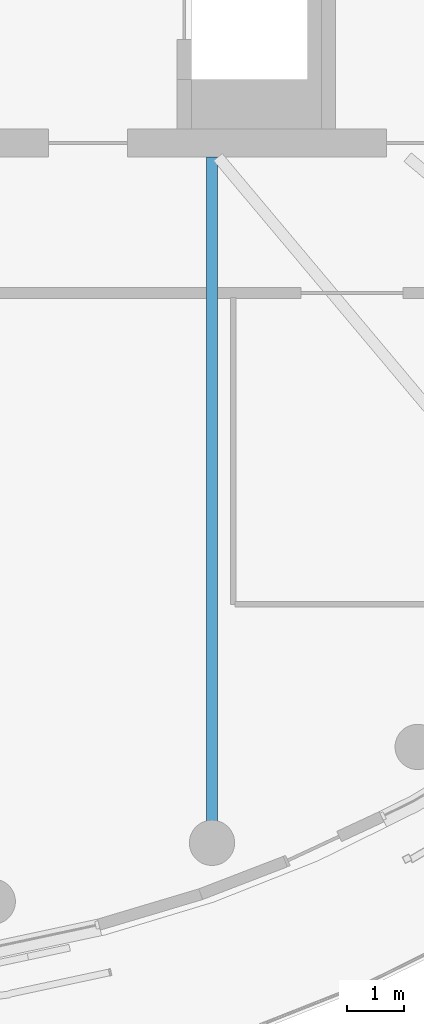
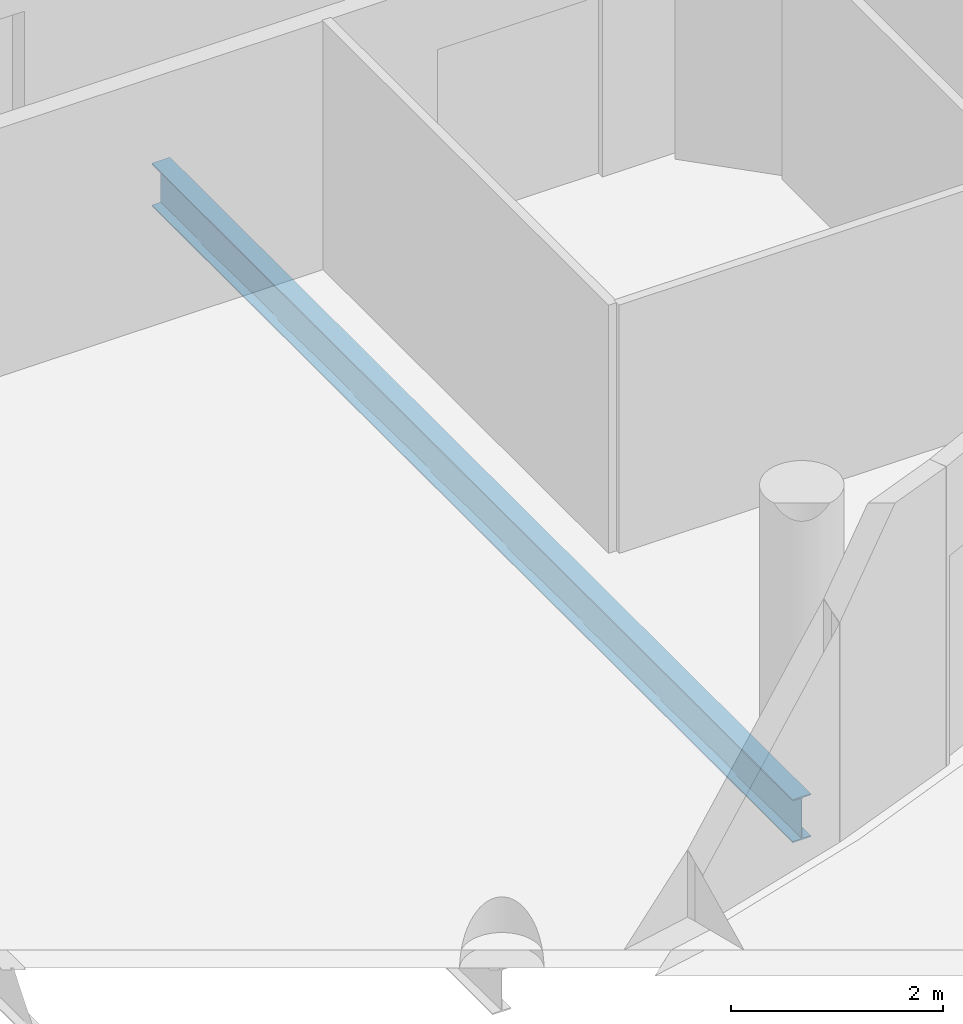
# One storey, part 3 of 21: 1 beam.
"""IFC4 building model written with IfcOpenShell, lengths in metres."""

from ifc_helpers import new_model, si_unit, direction, frame, origin, origin_2d, place, context, subcontext, project, spatial, i_section, extrude, material, material_profile, profile_set, type_object, element, save


model = new_model("IFC4")

# Units and contexts
model_context = context("Model", 3, precision=1e-05, world=origin(), true_north=direction((0.0, 1.0)))
body_context = subcontext(model_context, "Body", "Model", "MODEL_VIEW")
ifc_project = project(units=[si_unit("LENGTHUNIT", "METRE"), si_unit("AREAUNIT", "SQUARE_METRE"), si_unit("VOLUMEUNIT", "CUBIC_METRE"), si_unit("PLANEANGLEUNIT", "RADIAN"), si_unit("MASSUNIT", "GRAM", prefix="KILO")], contexts=[model_context])

# Site, building, storey
site_placement = place(None, origin())
site = spatial("IfcSite", under=ifc_project, at=site_placement, CompositionType="ELEMENT")
building_placement = place(site_placement, origin())
building = spatial("IfcBuilding", under=site, at=building_placement, Name="Tamarind Cross Interchange Tower", CompositionType="ELEMENT")
storey_placement = place(building_placement, frame((0.0, 0.0, 271.199951171875)))
storey = spatial("IfcBuildingStorey", under=building, at=storey_placement, Name="L69", CompositionType="ELEMENT", Elevation=271.199951171875)

# Beam
ifc_material = material(Name="Steel Q355B", Category="steel")
ifc_material_profile = material_profile(ifc_material, i_section(OverallWidth=0.198974609375, OverallDepth=0.49609375, WebThickness=0.009033203125, FlangeThickness=0.013916015625, FilletRadius=0.012939453125, at=origin_2d()), Name="HN 496x199x9x14")
ifc_profile_set = profile_set([ifc_material_profile], Name="Steel Q355B")
beam_type = type_object("IfcBeamType", Name="Composite beam HN 496x199x9x14 Q355B", PredefinedType="BEAM", material=ifc_profile_set)
beam_placement = place(storey_placement, frame((7.866455078125, -21.613037109375, -0.387939453125), z_axis=(0.0, 1.0, 0.0), x_axis=(-1.0, 0.0, 0.0)))
element("IfcBeam", 1, at=beam_placement, inside=storey, type_object=beam_type, Name="Beam HH29", PredefinedType="BEAM", context=body_context, shape_type="SweptSolid", body=[
    extrude(i_section(OverallWidth=0.198974609375, OverallDepth=0.49609375, WebThickness=0.009033203125, FlangeThickness=0.013916015625, FilletRadius=0.012939453125, at=origin_2d()), origin(), (0.0, 0.0, 1.0), 12.113037109375),
])

save(model, "model.ifc")
